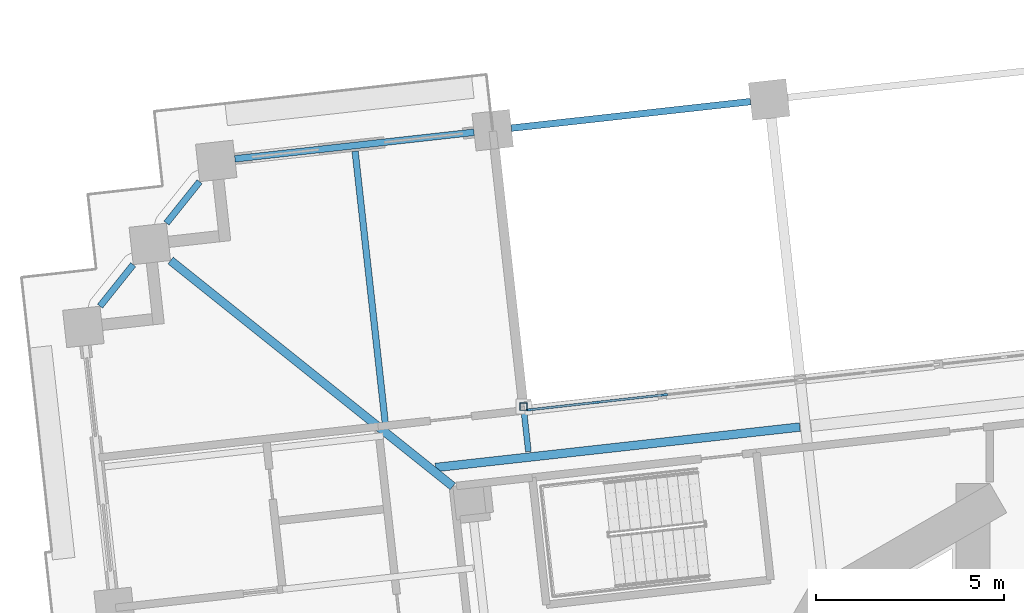
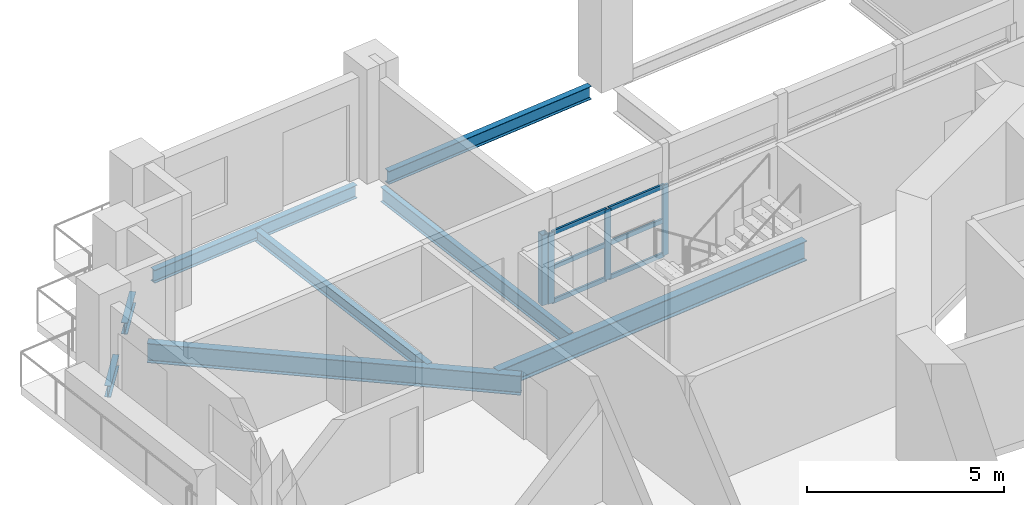
# One storey, part 3 of 21: 10 members, 8 beams, 1 element without a shape of its own.
"""IFC4 building model written with IfcOpenShell, lengths in metres."""

from ifc_helpers import new_model, si_unit, direction, frame, origin, origin_2d, place, context, subcontext, project, spatial, rectangle, hollow_rectangle, i_section, extrude, material, material_profile, profile_set, type_object, element, aggregate, save


model = new_model("IFC4")

# Units and contexts
model_context = context("Model", 3, precision=1e-05, world=origin(), true_north=direction((0.0, 1.0)))
body_context = subcontext(model_context, "Body", "Model", "MODEL_VIEW")
ifc_project = project(units=[si_unit("LENGTHUNIT", "METRE"), si_unit("AREAUNIT", "SQUARE_METRE"), si_unit("VOLUMEUNIT", "CUBIC_METRE"), si_unit("PLANEANGLEUNIT", "RADIAN"), si_unit("MASSUNIT", "GRAM", prefix="KILO")], contexts=[model_context])

# Site, building, storey
site_placement = place(None, origin())
site = spatial("IfcSite", under=ifc_project, at=site_placement, CompositionType="ELEMENT")
building_placement = place(site_placement, origin())
building = spatial("IfcBuilding", under=site, at=building_placement, Name="Cantera Rosa Tower", CompositionType="ELEMENT")
storey_placement = place(building_placement, frame((0.0, 0.0, 61.5)))
storey = spatial("IfcBuildingStorey", under=building, at=storey_placement, Name="L12", CompositionType="ELEMENT", Elevation=61.5)

# Curtain wall, members
ifc_material_1 = material(Name="Aluminium frame with clear glass", Category="aluminium")
curtain_wall_type = type_object("IfcCurtainWallType", Name="CW1 TERRACE POCKET GLAZING", PredefinedType="NOTDEFINED", material=ifc_material_1)
curtain_wall_placement = place(storey_placement, origin())
curtain_wall = element("IfcCurtainWall", 1, at=curtain_wall_placement, inside=storey, type_object=curtain_wall_type, Name="CW1 CW1", PredefinedType="NOTDEFINED")
ifc_material_2 = material(Name="Anodised bronze aluminium", Category="aluminium")
ifc_material_profile_1 = material_profile(ifc_material_2, rectangle(XDim=0.06005859375, YDim=0.179931640625, at=origin_2d()), Name="CW-MULLION 60x180 POCKET")
ifc_profile_set_1 = profile_set([ifc_material_profile_1], Name="Anodised bronze aluminium")
member_type_1 = type_object("IfcMemberType", Name="CW-MULLION 60x180 POCKET", PredefinedType="MULLION", material=ifc_profile_set_1)
member_1_placement = place(storey_placement, frame((-12.657958984375, 13.989013671875, 0.0), z_axis=(0.0, 0.0, 1.0), x_axis=(0.110312555543, -0.993896946413, 0.0)))
member_1 = element("IfcMember", 2, at=member_1_placement, type_object=member_type_1, Name="CW1 mullion 7", PredefinedType="MULLION", context=body_context, shape_type="SweptSolid", body=[
    extrude(rectangle(XDim=0.06005859375, YDim=0.179931640625, at=origin_2d()), origin(), (0.0, 0.0, 1.0), 2.18603515625),
])
member_2_placement = place(storey_placement, frame((-14.465576171875, 13.788330078125, 0.0), z_axis=(0.0, 0.0, 1.0), x_axis=(0.110312555543, -0.993896946413, 0.0)))
member_2 = element("IfcMember", 3, at=member_2_placement, type_object=member_type_1, Name="CW1 mullion 8", PredefinedType="MULLION", context=body_context, shape_type="SweptSolid", body=[
    extrude(rectangle(XDim=0.06005859375, YDim=0.179931640625, at=origin_2d()), origin(), (0.0, 0.0, 1.0), 2.18603515625),
])
member_3_placement = place(storey_placement, frame((-16.243408203125, 13.591064453125, 0.0), z_axis=(0.0, 0.0, 1.0), x_axis=(0.110312555543, -0.993896946413, 0.0)))
member_3 = element("IfcMember", 4, at=member_3_placement, type_object=member_type_1, Name="CW1 mullion 9", PredefinedType="MULLION", context=body_context, shape_type="SweptSolid", body=[
    extrude(rectangle(XDim=0.06005859375, YDim=0.179931640625, at=origin_2d()), origin(), (0.0, 0.0, 1.0), 2.18603515625),
])
ifc_material_3 = material(Name="Anodised bronze aluminium", Category="aluminium")
ifc_material_profile_2 = material_profile(ifc_material_3, rectangle(XDim=0.06005859375, YDim=0.139892578125, at=origin_2d()), Name="CW-TRANSOM 60x140 POCKET")
ifc_profile_set_2 = profile_set([ifc_material_profile_2], Name="Anodised bronze aluminium")
member_type_2 = type_object("IfcMemberType", Name="CW-TRANSOM 60x140 POCKET", PredefinedType="USERDEFINED", material=ifc_profile_set_2)
member_4_placement = place(storey_placement, frame((-12.687744140625, 13.98583984375, 0.030029296875), z_axis=(-0.993892195886, -0.110355348566, 0.0), x_axis=(0.110355348566, -0.993892195886, 0.0)))
member_4 = element("IfcMember", 5, at=member_4_placement, type_object=member_type_2, Name="CW1 transom 7.1", ObjectType="TRANSOM", PredefinedType="USERDEFINED", context=body_context, shape_type="SweptSolid", body=[
    extrude(rectangle(XDim=0.06005859375, YDim=0.139892578125, at=origin_2d()), origin(), (0.0, 0.0, 1.0), 1.7587890625),
])
member_5_placement = place(storey_placement, frame((-12.687744140625, 13.98583984375, 1.093017578125), z_axis=(-0.993892195886, -0.110355348566, 0.0), x_axis=(0.110355348566, -0.993892195886, 0.0)))
member_5 = element("IfcMember", 6, at=member_5_placement, type_object=member_type_2, Name="CW1 transom 7.2", ObjectType="TRANSOM", PredefinedType="USERDEFINED", context=body_context, shape_type="SweptSolid", body=[
    extrude(rectangle(XDim=0.06005859375, YDim=0.139892578125, at=origin_2d()), origin(), (0.0, 0.0, 1.0), 1.7587890625),
])
member_6_placement = place(storey_placement, frame((-12.687744140625, 13.98583984375, 2.156005859375), z_axis=(-0.993892195886, -0.110355348566, 0.0), x_axis=(0.110355348566, -0.993892195886, 0.0)))
member_6 = element("IfcMember", 7, at=member_6_placement, type_object=member_type_2, Name="CW1 transom 7.3", ObjectType="TRANSOM", PredefinedType="USERDEFINED", context=body_context, shape_type="SweptSolid", body=[
    extrude(rectangle(XDim=0.06005859375, YDim=0.139892578125, at=origin_2d()), origin(), (0.0, 0.0, 1.0), 1.7587890625),
])
member_7_placement = place(storey_placement, frame((-14.495361328125, 13.78515625, 0.030029296875), z_axis=(-0.993899224529, -0.110292028184, 0.0), x_axis=(0.110292028184, -0.993899224529, 0.0)))
member_7 = element("IfcMember", 8, at=member_7_placement, type_object=member_type_2, Name="CW1 transom 8.1", ObjectType="TRANSOM", PredefinedType="USERDEFINED", context=body_context, shape_type="SweptSolid", body=[
    extrude(rectangle(XDim=0.06005859375, YDim=0.139892578125, at=origin_2d()), origin(), (0.0, 0.0, 1.0), 1.728759765625),
])
member_8_placement = place(storey_placement, frame((-14.495361328125, 13.78515625, 1.093017578125), z_axis=(-0.993899224529, -0.110292028184, 0.0), x_axis=(0.110292028184, -0.993899224529, 0.0)))
member_8 = element("IfcMember", 9, at=member_8_placement, type_object=member_type_2, Name="CW1 transom 8.2", ObjectType="TRANSOM", PredefinedType="USERDEFINED", context=body_context, shape_type="SweptSolid", body=[
    extrude(rectangle(XDim=0.06005859375, YDim=0.139892578125, at=origin_2d()), origin(), (0.0, 0.0, 1.0), 1.728759765625),
])
member_9_placement = place(storey_placement, frame((-14.495361328125, 13.78515625, 2.156005859375), z_axis=(-0.993899224529, -0.110292028184, 0.0), x_axis=(0.110292028184, -0.993899224529, 0.0)))
member_9 = element("IfcMember", 10, at=member_9_placement, type_object=member_type_2, Name="CW1 transom 8.3", ObjectType="TRANSOM", PredefinedType="USERDEFINED", context=body_context, shape_type="SweptSolid", body=[
    extrude(rectangle(XDim=0.06005859375, YDim=0.139892578125, at=origin_2d()), origin(), (0.0, 0.0, 1.0), 1.728759765625),
])
aggregate(curtain_wall, [member_1, member_2, member_3, member_4, member_5, member_6, member_7, member_8, member_9])

# Member
ifc_material_4 = material(Name="Steel ASTM A992 (Fy 345 MPa)", Category="steel")
ifc_material_profile_3 = material_profile(ifc_material_4, hollow_rectangle(XDim=0.199951171875, YDim=0.199951171875, WallThickness=0.010009765625, at=origin_2d()), Name="LINTEL POST RHS 200x200x10")
ifc_profile_set_3 = profile_set([ifc_material_profile_3], Name="Steel ASTM A992 (Fy 345 MPa)")
member_type_3 = type_object("IfcMemberType", Name="LINTEL POST RHS 200x200x10", PredefinedType="USERDEFINED", material=ifc_profile_set_3)
member_10_placement = place(storey_placement, frame((-16.408447265625, 13.67333984375, 0.0), z_axis=(0.0, 0.0, 1.0), x_axis=(1.0, 0.0, 0.0)))
element("IfcMember", 11, at=member_10_placement, inside=storey, type_object=member_type_3, Name="LINTEL POST L12-2", ObjectType="LINTEL POST", PredefinedType="USERDEFINED", context=body_context, shape_type="SweptSolid", body=[
    extrude(hollow_rectangle(XDim=0.199951171875, YDim=0.199951171875, WallThickness=0.010009765625, at=origin_2d()), origin(), (0.0, 0.0, 1.0), 2.18798828125),
])

# Beams
ifc_material_5 = material(Name="Steel ASTM A992 (Fy 345 MPa)", Category="steel")
ifc_material_profile_4 = material_profile(ifc_material_5, i_section(OverallWidth=0.154052734375, OverallDepth=0.4599609375, WebThickness=0.009033203125, FlangeThickness=0.015380859375, FilletRadius=0.01025390625, at=origin_2d()), Name="W460X68")
ifc_profile_set_4 = profile_set([ifc_material_profile_4], Name="Steel ASTM A992 (Fy 345 MPa)")
beam_type_1 = type_object("IfcBeamType", Name="STEEL BEAM W460X68", PredefinedType="BEAM", material=ifc_profile_set_4)
beam_1_placement = place(storey_placement, frame((-17.169677734375, 20.53125, -0.47998046875), z_axis=(0.110315740112, -0.993896592953, 0.0), x_axis=(0.993896592953, 0.110315740112, 0.0)))
element("IfcBeam", 12, at=beam_1_placement, inside=storey, type_object=beam_type_1, Name="G-Z1-09 L12", PredefinedType="BEAM", context=body_context, shape_type="SweptSolid", body=[
    extrude(i_section(OverallWidth=0.154052734375, OverallDepth=0.4599609375, WebThickness=0.009033203125, FlangeThickness=0.015380859375, FilletRadius=0.01025390625, at=origin_2d()), origin(), (0.0, 0.0, 1.0), 8.099853515625),
])
ifc_material_6 = material(Name="Steel ASTM A992 (Fy 345 MPa)", Category="steel")
ifc_material_profile_5 = material_profile(ifc_material_6, i_section(OverallWidth=0.22802734375, OverallDepth=0.60205078125, WebThickness=0.010498046875, FlangeThickness=0.014892578125, FilletRadius=0.0126953125, at=origin_2d()), Name="W610X101")
ifc_profile_set_5 = profile_set([ifc_material_profile_5], Name="Steel ASTM A992 (Fy 345 MPa)")
beam_type_2 = type_object("IfcBeamType", Name="STEEL BEAM W610X101", PredefinedType="BEAM", material=ifc_profile_set_5)
beam_2_placement = place(storey_placement, frame((-25.794677734375, 17.561767578125, -0.551025390625), z_axis=(0.78078211406, -0.62480340137, 0.0), x_axis=(0.62480340137, 0.78078211406, 0.0)))
element("IfcBeam", 13, at=beam_2_placement, inside=storey, type_object=beam_type_2, Name="CB-Z1-02 L12", PredefinedType="BEAM", context=body_context, shape_type="SweptSolid", body=[
    extrude(i_section(OverallWidth=0.22802734375, OverallDepth=0.60205078125, WebThickness=0.010498046875, FlangeThickness=0.014892578125, FilletRadius=0.0126953125, at=origin_2d()), origin(), (0.0, 0.0, 1.0), 9.61669921875),
])
ifc_material_7 = material(Name="Steel ASTM A992 (Fy 345 MPa)", Category="steel")
ifc_material_profile_6 = material_profile(ifc_material_7, i_section(OverallWidth=0.22900390625, OverallDepth=0.612060546875, WebThickness=0.011962890625, FlangeThickness=0.01953125, FilletRadius=0.0126953125, at=origin_2d()), Name="W610X125")
ifc_profile_set_6 = profile_set([ifc_material_profile_6], Name="Steel ASTM A992 (Fy 345 MPa)")
beam_type_3 = type_object("IfcBeamType", Name="STEEL BEAM W610X125", PredefinedType="BEAM", material=ifc_profile_set_6)
beam_3_placement = place(storey_placement, frame((-18.744384765625, 12.055908203125, -0.555908203125), z_axis=(0.993898383269, 0.110299608956, 0.0), x_axis=(-0.110299608956, 0.993898383269, 0.0)))
element("IfcBeam", 14, at=beam_3_placement, inside=storey, type_object=beam_type_3, Name="RB-Z1-01 L12", PredefinedType="BEAM", context=body_context, shape_type="SweptSolid", body=[
    extrude(i_section(OverallWidth=0.22900390625, OverallDepth=0.612060546875, WebThickness=0.011962890625, FlangeThickness=0.01953125, FilletRadius=0.0126953125, at=origin_2d()), origin(), (0.0, 0.0, 1.0), 9.750244140625),
])
ifc_material_8 = material(Name="Steel ASTM A992 (Fy 345 MPa)", Category="steel")
ifc_material_profile_7 = material_profile(ifc_material_8, i_section(OverallWidth=0.1708984375, OverallDepth=0.35595703125, WebThickness=0.00732421875, FlangeThickness=0.01171875, FilletRadius=0.010009765625, at=origin_2d()), Name="W360X51")
ifc_profile_set_7 = profile_set([ifc_material_profile_7], Name="Steel ASTM A992 (Fy 345 MPa)")
beam_type_4 = type_object("IfcBeamType", Name="STEEL JOIST W360X51", PredefinedType="JOIST", material=ifc_profile_set_7)
beam_4_placement = place(storey_placement, frame((-20.8857421875, 20.470947265625, -0.427978515625), z_axis=(0.110326513132, -0.993895397162, 0.0), x_axis=(0.993895397162, 0.110326513132, 0.0)))
element("IfcBeam", 15, at=beam_4_placement, inside=storey, type_object=beam_type_4, Name="B-Z1-11 L12", PredefinedType="JOIST", context=body_context, shape_type="SweptSolid", body=[
    extrude(i_section(OverallWidth=0.1708984375, OverallDepth=0.35595703125, WebThickness=0.00732421875, FlangeThickness=0.01171875, FilletRadius=0.010009765625, at=origin_2d()), origin(), (0.0, 0.0, 1.0), 7.39990234375),
])
ifc_material_9 = material(Name="Steel ASTM A992 (Fy 345 MPa)", Category="steel")
ifc_material_profile_8 = material_profile(ifc_material_9, i_section(OverallWidth=0.1708984375, OverallDepth=0.35595703125, WebThickness=0.00732421875, FlangeThickness=0.01171875, FilletRadius=0.010009765625, at=origin_2d()), Name="W360X51")
ifc_profile_set_8 = profile_set([ifc_material_profile_8], Name="Steel ASTM A992 (Fy 345 MPa)")
beam_type_5 = type_object("IfcBeamType", Name="STEEL SPANDREL BEAM W360X51", PredefinedType="SPANDREL", material=ifc_profile_set_8)
for number, where, z_axis, x_axis, name in (
    (16, (-25.021484375, 19.659912109375, -0.427978515625), (-0.624758203863, -0.780818280208, 0.0), (0.780818280208, -0.624758203863, 0.0), "EB-Z1-14 L12"),
    (17, (-26.78857421875, 17.451416015625, -0.427978515625), (-0.624758203863, -0.780818280208, 0.0), (0.780818280208, -0.624758203863, 0.0), "EB-Z1-15 L12"),
):
    element("IfcBeam", number, at=place(storey_placement, frame(where, z_axis=z_axis, x_axis=x_axis)), inside=storey, type_object=beam_type_5, Name=name, PredefinedType="SPANDREL", context=body_context, shape_type="SweptSolid", body=[
        extrude(i_section(OverallWidth=0.1708984375, OverallDepth=0.35595703125, WebThickness=0.00732421875, FlangeThickness=0.01171875, FilletRadius=0.010009765625, at=origin_2d()), origin(), (0.0, 0.0, 1.0), 1.414306640625),
    ])
ifc_material_10 = material(Name="Steel ASTM A992 (Fy 345 MPa)", Category="steel")
ifc_material_profile_9 = material_profile(ifc_material_10, i_section(OverallWidth=0.177978515625, OverallDepth=0.406005859375, WebThickness=0.0078125, FlangeThickness=0.0126953125, FilletRadius=0.01025390625, at=origin_2d()), Name="W410X60")
ifc_profile_set_9 = profile_set([ifc_material_profile_9], Name="Steel ASTM A992 (Fy 345 MPa)")
beam_type_6 = type_object("IfcBeamType", Name="STEEL SPANDREL BEAM W410X60", PredefinedType="SPANDREL", material=ifc_profile_set_9)
beam_5_placement = place(storey_placement, frame((-10.366943359375, 21.789306640625, -0.452880859375), z_axis=(-0.993900006422, -0.110284981906, 0.0), x_axis=(0.110284981906, -0.993900006422, 0.0)))
element("IfcBeam", 18, at=beam_5_placement, inside=storey, type_object=beam_type_6, Name="EB-Z1-12 L12", PredefinedType="SPANDREL", context=body_context, shape_type="SweptSolid", body=[
    extrude(i_section(OverallWidth=0.177978515625, OverallDepth=0.406005859375, WebThickness=0.0078125, FlangeThickness=0.0126953125, FilletRadius=0.01025390625, at=origin_2d()), origin(), (0.0, 0.0, 1.0), 6.39990234375),
])
beam_6_placement = place(storey_placement, frame((-17.7216796875, 20.97314453125, -0.452880859375), z_axis=(-0.993896288542, -0.110318482689, 0.0), x_axis=(0.110318482689, -0.993896288542, 0.0)))
element("IfcBeam", 19, at=beam_6_placement, inside=storey, type_object=beam_type_6, Name="EB-Z1-13 L12", PredefinedType="SPANDREL", context=body_context, shape_type="SweptSolid", body=[
    extrude(i_section(OverallWidth=0.177978515625, OverallDepth=0.406005859375, WebThickness=0.0078125, FlangeThickness=0.0126953125, FilletRadius=0.01025390625, at=origin_2d()), origin(), (0.0, 0.0, 1.0), 6.400146484375),
])

save(model, "model.ifc")
